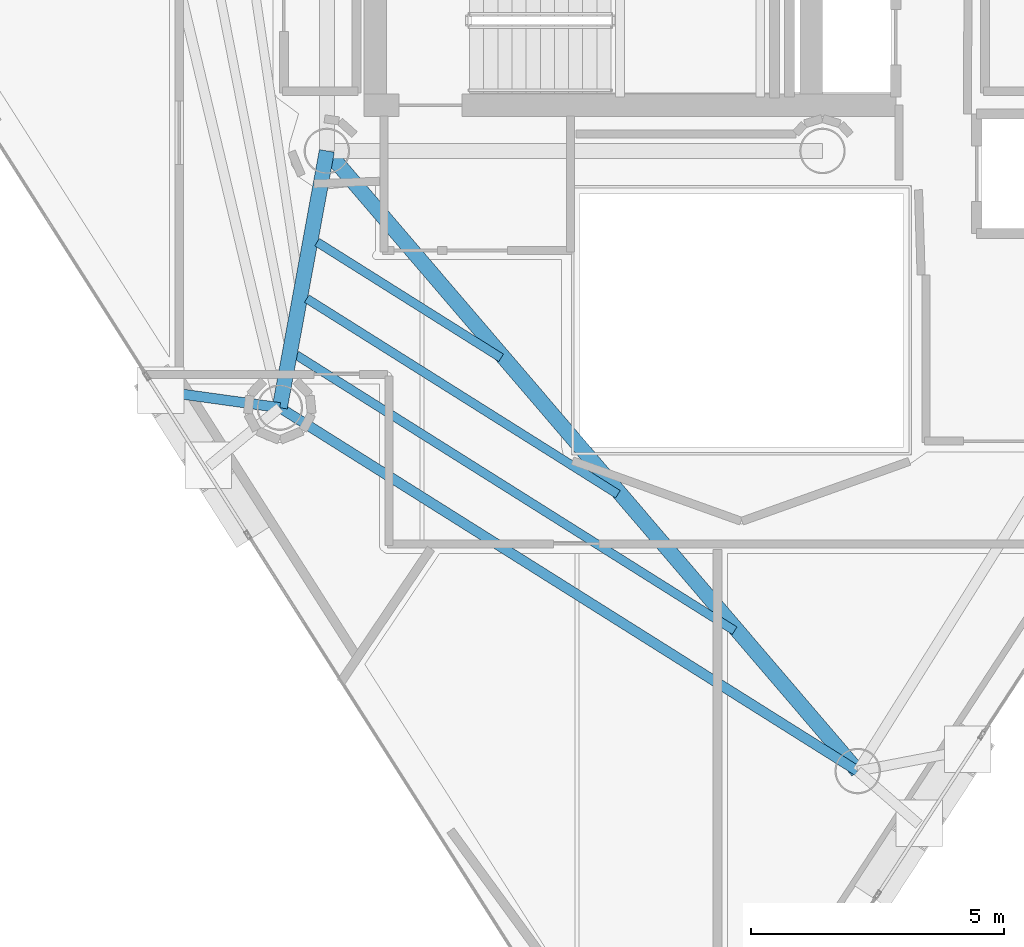
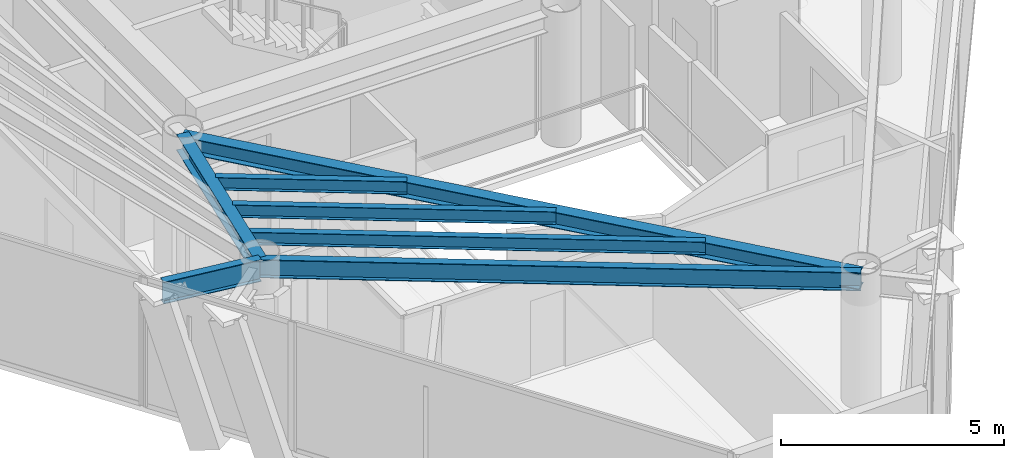
# One storey, part 4 of 25: 7 beams.
"""IFC4 building model written with IfcOpenShell, lengths in metres."""

import ifcopenshell
import ifcopenshell.guid

model = None  # the IFC model being written
_history = None  # IfcOwnerHistory: only IFC2X3 demands one
_inside = {}  # id of a spatial element -> (the spatial element, [elements in it])
_under = {}  # id of a project, library or spatial element -> (it, [spatial elements below it])
_declared = {}  # id of a project -> (the project, [libraries it declares])
_typed = {}  # id of a type object -> (the type object, [elements of that type])
_made_of = {}  # id of a material, layer set ... -> (it, [elements and type objects made of it])


def new_model(schema):
    """Start an empty IFC model of exactly this schema.

    Asked for "IFC4X3", IfcOpenShell would pick the latest addendum, in which some entities
    have other attributes; the version numbers below select the first issue.
    IFC2X3 requires an IfcOwnerHistory on every rooted entity: one is made here for all.
    """
    global model, _history
    if schema == "IFC4X3":
        model = ifcopenshell.file(schema_version=(4, 3, 0, 0))
    else:
        model = ifcopenshell.file(schema=schema)
    _inside.clear()
    _under.clear()
    _declared.clear()
    _typed.clear()
    _made_of.clear()
    _history = None
    if model.schema == "IFC2X3":
        org = make("IfcOrganization", Name="unknown")
        user = make(
            "IfcPersonAndOrganization",
            ThePerson=make("IfcPerson", FamilyName="unknown"),
            TheOrganization=org,
        )
        app = make(
            "IfcApplication",
            ApplicationDeveloper=org,
            Version="unknown",
            ApplicationFullName="unknown",
            ApplicationIdentifier="unknown",
        )
        _history = make(
            "IfcOwnerHistory",
            OwningUser=user,
            OwningApplication=app,
            ChangeAction="ADDED",
            CreationDate=0,
        )
    return model


def make(cls, **values):
    """One entity of the class cls with the attributes given. An attribute that is None is left unset."""
    return model.create_entity(
        cls, **{name: value for name, value in values.items() if value is not None}
    )


def rooted(cls, **values):
    """An entity with a GlobalId (a new one), such as an element, a storey or a relation."""
    return make(cls, GlobalId=ifcopenshell.guid.new(), OwnerHistory=_history, **values)


def si_unit(unit_type, name, prefix=None):
    """IfcSIUnit, for example si_unit("LENGTHUNIT", "METRE", prefix="MILLI")."""
    return make("IfcSIUnit", UnitType=unit_type, Prefix=prefix, Name=name)


def assignment(units):
    """IfcUnitAssignment: the units of a project."""
    return None if units is None else make("IfcUnitAssignment", Units=units)


def point(xyz):
    """IfcCartesianPoint."""
    return None if xyz is None else make("IfcCartesianPoint", Coordinates=xyz)


def direction(xyz):
    """IfcDirection."""
    return None if xyz is None else make("IfcDirection", DirectionRatios=xyz)


def frame(location, z_axis=None, x_axis=None):
    """IfcAxis2Placement3D, a coordinate frame: its origin and axes. An axis left out is left unset."""
    return make(
        "IfcAxis2Placement3D",
        Location=point(location),
        Axis=direction(z_axis),
        RefDirection=direction(x_axis),
    )


def frame_2d(location, x_axis=None):
    """IfcAxis2Placement2D, a coordinate frame in the plane: its origin and x axis."""
    return make(
        "IfcAxis2Placement2D", Location=point(location), RefDirection=direction(x_axis)
    )


def origin():
    """The frame at (0, 0, 0) with its axes left unset."""
    return frame((0.0, 0.0, 0.0))


def origin_2d():
    """The frame at (0, 0) in the plane with its x axis left unset."""
    return frame_2d((0.0, 0.0))


def place(relative_to, where):
    """IfcLocalPlacement: puts the frame where relative to a parent placement (None: the world)."""
    return make(
        "IfcLocalPlacement", PlacementRelTo=relative_to, RelativePlacement=where
    )


def context(
    kind, dimensions, precision=None, world=None, true_north=None, identifier=None
):
    """IfcGeometricRepresentationContext, for example the 3D "Model" context."""
    return make(
        "IfcGeometricRepresentationContext",
        ContextIdentifier=identifier,
        ContextType=kind,
        CoordinateSpaceDimension=dimensions,
        Precision=precision,
        WorldCoordinateSystem=world,
        TrueNorth=true_north,
    )


def subcontext(parent, identifier, kind, view, scale=None):
    """IfcGeometricRepresentationSubContext, for example "Body" below "Model"."""
    return make(
        "IfcGeometricRepresentationSubContext",
        ContextIdentifier=identifier,
        ContextType=kind,
        ParentContext=parent,
        TargetScale=scale,
        TargetView=view,
    )


def project(units=None, contexts=None):
    """IfcProject with its units and contexts."""
    return rooted(
        "IfcProject",
        Name="project",
        RepresentationContexts=contexts,
        UnitsInContext=assignment(units),
    )


def spatial(cls, under=None, at=None, **own):
    """A site, building, storey or space (cls), placed at a placement, below another one or the project."""
    s = rooted(cls, ObjectPlacement=at, **own)
    if under is not None:
        _under.setdefault(under.id(), (under, []))[1].append(s)
    return s


def profile(cls, at=None, kind="AREA", **sizes):
    """A parametric profile (cls). Its sizes go by their IFC names, for example OverallWidth=200.0."""
    return make(cls, ProfileType=kind, Position=at, **sizes)


def i_section(**sizes):
    """IfcIShapeProfileDef."""
    return profile("IfcIShapeProfileDef", **sizes)


def extrude(swept, where, along, depth):
    """IfcExtrudedAreaSolid: the profile swept, set in the frame where, extruded along a direction by depth."""
    return make(
        "IfcExtrudedAreaSolid",
        SweptArea=swept,
        Position=where,
        ExtrudedDirection=direction(along),
        Depth=depth,
    )


def shape(context_of_items, identifier, shape_type, items):
    """IfcShapeRepresentation: the items that make up one representation, for example the "Body"."""
    return make(
        "IfcShapeRepresentation",
        ContextOfItems=context_of_items,
        RepresentationIdentifier=identifier,
        RepresentationType=shape_type,
        Items=items,
    )


def material(Name=None, Category=None):
    """IfcMaterial."""
    return make("IfcMaterial", Name=Name, Category=Category)


def material_profile(
    of_material, cross_section, Name=None, Category=None, Priority=None
):
    """IfcMaterialProfile: a cross section and its material."""
    return make(
        "IfcMaterialProfile",
        Name=Name,
        Material=of_material,
        Profile=cross_section,
        Priority=Priority,
        Category=Category,
    )


def profile_set(profiles, Name=None, composite=None):
    """IfcMaterialProfileSet."""
    return make(
        "IfcMaterialProfileSet",
        Name=Name,
        MaterialProfiles=profiles,
        CompositeProfile=composite,
    )


def made_of(thing, what):
    """Note that an element or type object is made of a material, layer set ...; save() writes the relation."""
    if what is not None:
        _made_of.setdefault(what.id(), (what, []))[1].append(thing)
    return thing


def type_object(cls, material=None, **own):
    """A type object (cls), such as IfcWallType, which elements share."""
    return made_of(rooted(cls, **own), material)


def element(
    cls,
    number,
    at=None,
    inside=None,
    cuts=None,
    type_object=None,
    material=None,
    context=None,
    identifier="Body",
    shape_type=None,
    held_by="IfcProductDefinitionShape",
    body=None,
    shapes=None,
    **own,
):
    """One element of the class cls, such as IfcWall. Its Tag is "e" and its number.

    at: its placement. inside: the storey or other place that contains it. cuts: it is an
    opening in that element (IfcRelVoidsElement). A single representation is given by context,
    identifier, shape_type and body (its items); several are given by shapes. held_by: the class
    of the entity that holds the representations. save() writes the other relations.
    """
    e = rooted(cls, Tag="e%d" % number, ObjectPlacement=at, **own)
    if body is not None:
        shapes = [shape(context, identifier, shape_type, body)]
    if shapes is not None:
        e.Representation = make(held_by, Representations=shapes)
    if inside is not None:
        _inside.setdefault(inside.id(), (inside, []))[1].append(e)
    if cuts is not None:
        rooted(
            "IfcRelVoidsElement", RelatingBuildingElement=cuts, RelatedOpeningElement=e
        )
    if type_object is not None:
        _typed.setdefault(type_object.id(), (type_object, []))[1].append(e)
    return made_of(e, material)


def aggregate(whole, parts):
    """IfcRelAggregates: a whole, such as a stair, and the parts it consists of."""
    return rooted("IfcRelAggregates", RelatingObject=whole, RelatedObjects=parts)


def save(model, path):
    """Write the relations noted so far, then the file.

    IfcRelAggregates (storeys below a building ...), IfcRelContainedInSpatialStructure (elements
    in a storey), IfcRelDefinesByType, IfcRelAssociatesMaterial and IfcRelDeclares: one each for
    every whole, place, type object, material and project.
    """
    for whole, parts in _under.values():
        aggregate(whole, parts)
    for where, things in _inside.values():
        rooted(
            "IfcRelContainedInSpatialStructure",
            RelatedElements=things,
            RelatingStructure=where,
        )
    for kind, things in _typed.values():
        rooted("IfcRelDefinesByType", RelatedObjects=things, RelatingType=kind)
    for what, things in _made_of.values():
        rooted("IfcRelAssociatesMaterial", RelatedObjects=things, RelatingMaterial=what)
    for by, libraries in _declared.values():
        rooted("IfcRelDeclares", RelatingContext=by, RelatedDefinitions=libraries)
    model.write(path)


model = new_model("IFC4")

# Units and contexts
model_context = context("Model", 3, precision=1e-05, world=origin(), true_north=direction((0.0, 1.0)))
body_context = subcontext(model_context, "Body", "Model", "MODEL_VIEW")
ifc_project = project(units=[si_unit("LENGTHUNIT", "METRE"), si_unit("AREAUNIT", "SQUARE_METRE"), si_unit("VOLUMEUNIT", "CUBIC_METRE"), si_unit("PLANEANGLEUNIT", "RADIAN"), si_unit("MASSUNIT", "GRAM", prefix="KILO")], contexts=[model_context])

# Site, building, storey
site_placement = place(None, origin())
site = spatial("IfcSite", under=ifc_project, at=site_placement, CompositionType="ELEMENT")
building_placement = place(site_placement, origin())
building = spatial("IfcBuilding", under=site, at=building_placement, Name="Qianvela Tower", CompositionType="ELEMENT")
storey_placement = place(building_placement, frame((0.0, 0.0, 288.0)))
storey = spatial("IfcBuildingStorey", under=building, at=storey_placement, Name="L74", CompositionType="ELEMENT", Elevation=288.0)

# Beams
ifc_material_1 = material(Name="Steel Q355B", Category="steel")
ifc_material_profile_1 = material_profile(ifc_material_1, i_section(OverallWidth=0.300048828125, OverallDepth=0.43994140625, WebThickness=0.010986328125, FlangeThickness=0.01806640625, at=origin_2d()), Name="HM440x300x11x18")
ifc_profile_set_1 = profile_set([ifc_material_profile_1], Name="Steel Q355B")
beam_type_1 = type_object("IfcBeamType", Name="BM-HM440-COLL", PredefinedType="BEAM", material=ifc_profile_set_1)
beam_1_placement = place(storey_placement, frame((28.60009765625, 23.85009765625, 3.298095703125), z_axis=(-0.180242432023, -0.983622216961, 0.0), x_axis=(0.983622216961, -0.180242432023, 0.0)))
element("IfcBeam", 1, at=beam_1_placement, inside=storey, type_object=beam_type_1, Name="L74 Radial Primary Floor Girder 4", PredefinedType="BEAM", context=body_context, shape_type="SweptSolid", body=[
    extrude(i_section(OverallWidth=0.300048828125, OverallDepth=0.43994140625, WebThickness=0.010986328125, FlangeThickness=0.01806640625, at=origin_2d()), origin(), (0.0, 0.0, 1.0), 5.16064453125),
])
beam_2_placement = place(storey_placement, frame((28.60009765625, 23.85009765625, 3.298095703125), z_axis=(0.650269293807, -0.75970378802, 0.0), x_axis=(0.75970378802, 0.650269293807, 0.0)))
element("IfcBeam", 2, at=beam_2_placement, inside=storey, type_object=beam_type_1, Name="L74 Radial Primary Floor Girder 5", PredefinedType="BEAM", context=body_context, shape_type="SweptSolid", body=[
    extrude(i_section(OverallWidth=0.300048828125, OverallDepth=0.43994140625, WebThickness=0.010986328125, FlangeThickness=0.01806640625, at=origin_2d()), origin(), (0.0, 0.0, 1.0), 16.140869140625),
])
ifc_material_2 = material(Name="Steel Q355B", Category="steel")
ifc_material_profile_2 = material_profile(ifc_material_2, i_section(OverallWidth=0.175048828125, OverallDepth=0.35009765625, WebThickness=0.007080078125, FlangeThickness=0.010986328125, at=origin_2d()), Name="HN350x175x7x11")
ifc_profile_set_2 = profile_set([ifc_material_profile_2], Name="Steel Q355B")
beam_type_2 = type_object("IfcBeamType", Name="BM-HN350-JOIST", PredefinedType="JOIST", material=ifc_profile_set_2)
beam_3_placement = place(storey_placement, frame((28.407470703125, 22.04638671875, 3.343017578125), z_axis=(0.846501223135, -0.532386775973, 0.0), x_axis=(0.532386775973, 0.846501223135, 0.0)))
element("IfcBeam", 3, at=beam_3_placement, inside=storey, type_object=beam_type_2, Name="L74 Secondary Composite Floor Joist 4.1", PredefinedType="JOIST", context=body_context, shape_type="SweptSolid", body=[
    extrude(i_section(OverallWidth=0.175048828125, OverallDepth=0.35009765625, WebThickness=0.007080078125, FlangeThickness=0.010986328125, at=origin_2d()), origin(), (0.0, 0.0, 1.0), 4.29736328125),
])
beam_4_placement = place(storey_placement, frame((28.202880859375, 20.9296875, 3.343017578125), z_axis=(0.846507641225, -0.532376570998, 0.0), x_axis=(0.532376570998, 0.846507641225, 0.0)))
element("IfcBeam", 4, at=beam_4_placement, inside=storey, type_object=beam_type_2, Name="L74 Secondary Composite Floor Joist 4.2", PredefinedType="JOIST", context=body_context, shape_type="SweptSolid", body=[
    extrude(i_section(OverallWidth=0.175048828125, OverallDepth=0.35009765625, WebThickness=0.007080078125, FlangeThickness=0.010986328125, at=origin_2d()), origin(), (0.0, 0.0, 1.0), 7.266845703125),
])
beam_5_placement = place(storey_placement, frame((27.998291015625, 19.81298828125, 3.343017578125), z_axis=(0.846499587038, -0.532389377377, 0.0), x_axis=(0.532389377377, 0.846499587038, 0.0)))
element("IfcBeam", 5, at=beam_5_placement, inside=storey, type_object=beam_type_2, Name="L74 Secondary Composite Floor Joist 4.3", PredefinedType="JOIST", context=body_context, shape_type="SweptSolid", body=[
    extrude(i_section(OverallWidth=0.175048828125, OverallDepth=0.35009765625, WebThickness=0.007080078125, FlangeThickness=0.010986328125, at=origin_2d()), origin(), (0.0, 0.0, 1.0), 10.236328125),
])
ifc_material_3 = material(Name="Steel Q355B", Category="steel")
ifc_material_profile_3 = material_profile(ifc_material_3, i_section(OverallWidth=0.199951171875, OverallDepth=0.5, WebThickness=0.010009765625, FlangeThickness=0.01611328125, at=origin_2d()), Name="HN500x200x10x16")
ifc_profile_set_3 = profile_set([ifc_material_profile_3], Name="Steel Q355B")
beam_type_3 = type_object("IfcBeamType", Name="BM-HN500-GIRD", PredefinedType="BEAM", material=ifc_profile_set_3)
beam_6_placement = place(storey_placement, frame((27.669921875, 18.77392578125, 3.26806640625), z_axis=(0.846504270846, -0.532381930046, 0.0), x_axis=(0.532381930046, 0.846504270846, 0.0)))
element("IfcBeam", 6, at=beam_6_placement, inside=storey, type_object=beam_type_3, Name="L74 Perimeter Ring Spandrel Girder 4", PredefinedType="BEAM", context=body_context, shape_type="SweptSolid", body=[
    extrude(i_section(OverallWidth=0.199951171875, OverallDepth=0.5, WebThickness=0.010009765625, FlangeThickness=0.01611328125, at=origin_2d()), origin(), (0.0, 0.0, 1.0), 13.497802734375),
])
ifc_material_4 = material(Name="Steel Q355B", Category="steel")
ifc_material_profile_4 = material_profile(ifc_material_4, i_section(OverallWidth=0.199951171875, OverallDepth=0.60009765625, WebThickness=0.010986328125, FlangeThickness=0.01708984375, at=origin_2d()), Name="HN600x200x11x17")
ifc_profile_set_4 = profile_set([ifc_material_profile_4], Name="Steel Q355B")
beam_type_4 = type_object("IfcBeamType", Name="BM-HN600-GIRD", PredefinedType="BEAM", material=ifc_profile_set_4)
beam_7_placement = place(storey_placement, frame((27.669921875, 18.77392578125, 3.218017578125), z_axis=(-0.990541023567, 0.137216910878, 0.0), x_axis=(-0.137216910878, -0.990541023567, 0.0)))
element("IfcBeam", 7, at=beam_7_placement, inside=storey, type_object=beam_type_4, Name="L74 Mega-Brace Column Tie Bracket F2-1", PredefinedType="BEAM", context=body_context, shape_type="SweptSolid", body=[
    extrude(i_section(OverallWidth=0.199951171875, OverallDepth=0.60009765625, WebThickness=0.010986328125, FlangeThickness=0.01708984375, at=origin_2d()), origin(), (0.0, 0.0, 1.0), 2.366455078125),
])

save(model, "model.ifc")
